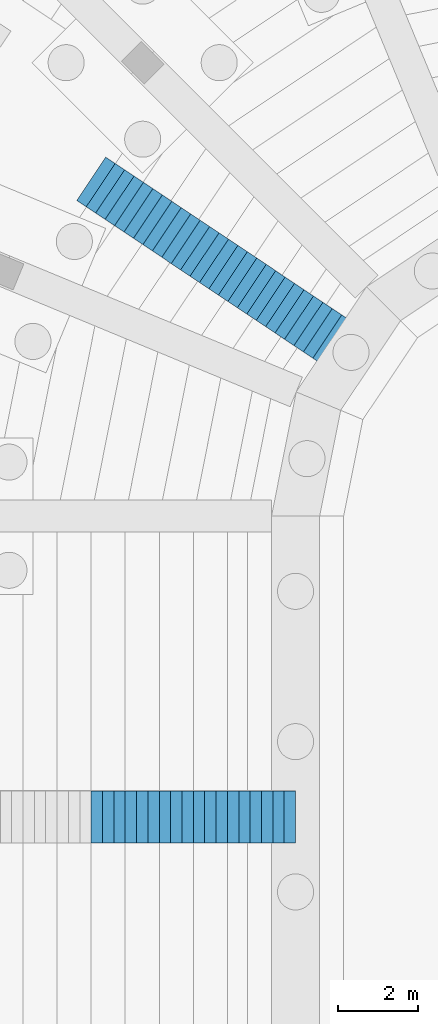
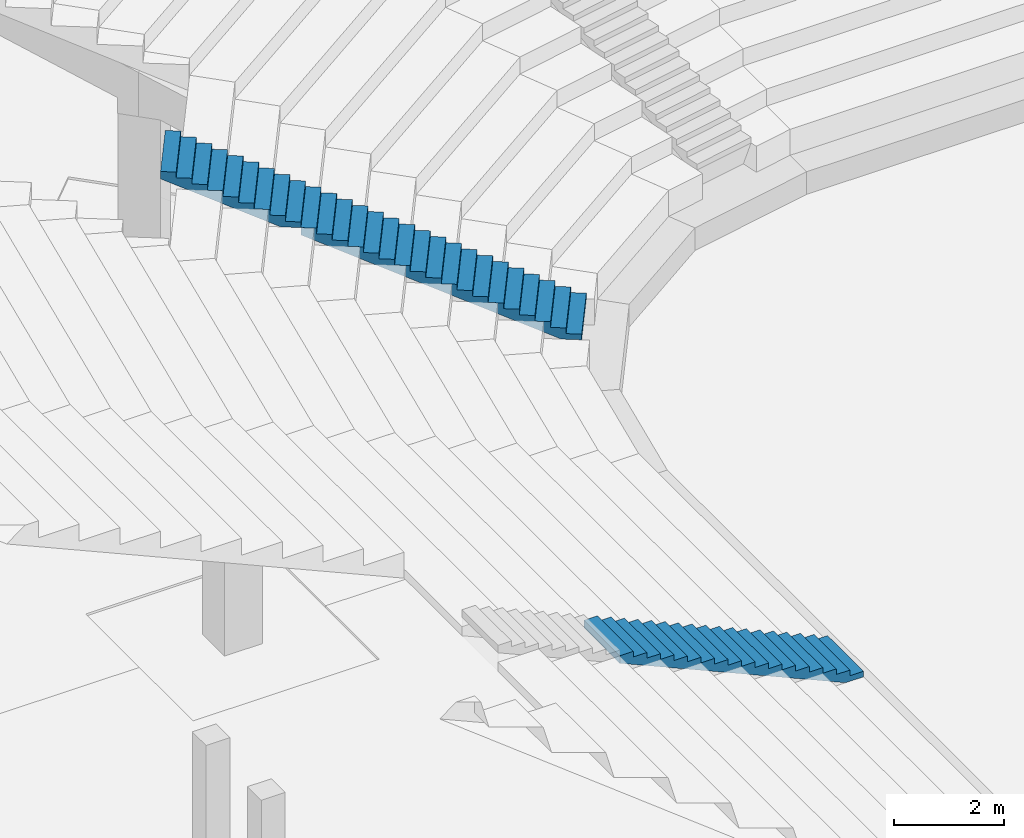
# One storey, part 94 of 115: 3 stair flights, 2 elements without a shape of their own.
"""IFC4 building model written with IfcOpenShell, lengths in metres."""

from ifc_helpers import new_model, si_unit, direction, frame, origin, place, context, subcontext, project, spatial, faceted_brep, material, type_object, element, aggregate, save


model = new_model("IFC4")

# Units and contexts
model_context = context("Model", 3, precision=1e-05, world=origin(), true_north=direction((0.0, 1.0)))
body_context = subcontext(model_context, "Body", "Model", "MODEL_VIEW")
ifc_project = project(units=[si_unit("LENGTHUNIT", "METRE"), si_unit("AREAUNIT", "SQUARE_METRE"), si_unit("VOLUMEUNIT", "CUBIC_METRE"), si_unit("PLANEANGLEUNIT", "RADIAN"), si_unit("MASSUNIT", "GRAM", prefix="KILO")], contexts=[model_context])

# Site, building, storey
site_placement = place(None, origin())
site = spatial("IfcSite", under=ifc_project, at=site_placement, CompositionType="ELEMENT")
building_placement = place(site_placement, origin())
building = spatial("IfcBuilding", under=site, at=building_placement, Name="Ogive Plaza Stadium", CompositionType="ELEMENT")
storey_placement = place(building_placement, frame((0.0, 0.0, -4.5)))
storey = spatial("IfcBuildingStorey", under=building, at=storey_placement, Name="B1", CompositionType="ELEMENT", Elevation=-4.5)

# Stair, stair flight
ifc_material_1 = material(Name="Concrete C40/50", Category="concrete")
stair_type = type_object("IfcStairType", Name="Aisle stair", PredefinedType="STRAIGHT_RUN_STAIR", material=ifc_material_1)
stair_1_placement = place(storey_placement, origin())
stair_1 = element("IfcStair", 1, at=stair_1_placement, inside=storey, type_object=stair_type, Name="Aisle stair SA27D", PredefinedType="STRAIGHT_RUN_STAIR")
ifc_material_2 = material(Name="Concrete C40/50", Category="concrete")
stair_flight_type = type_object("IfcStairFlightType", Name="Aisle stair flight", PredefinedType="STRAIGHT", material=ifc_material_2)
stair_flight_1_placement = place(storey_placement, frame((-41.5, 45.0, 1.125), z_axis=(0.0, 0.0, 1.0), x_axis=(-1.0, 0.0, 0.0)))
stair_flight_1 = element("IfcStairFlight", 2, at=stair_flight_1_placement, type_object=stair_flight_type, Name="SA27D flight 1", NumberOfRisers=18, NumberOfTreads=17, PredefinedType="STRAIGHT", RiserHeight=0.125, TreadLength=0.283333333, context=body_context, shape_type="Brep", body=[
    faceted_brep([(0.371337890625, -0.64990234375, 0.0), (5.10009765625, -0.64990234375, 2.086181640625), (5.10009765625, -0.64990234375, 2.25), (4.816650390625, -0.64990234375, 2.25), (4.816650390625, -0.64990234375, 2.125), (4.533447265625, -0.64990234375, 2.125), (4.533447265625, -0.64990234375, 2.0), (4.25, -0.64990234375, 2.0), (4.25, -0.64990234375, 1.875), (3.966552734375, -0.64990234375, 1.875), (3.966552734375, -0.64990234375, 1.75), (3.683349609375, -0.64990234375, 1.75), (3.683349609375, -0.64990234375, 1.625), (3.39990234375, -0.64990234375, 1.625), (3.39990234375, -0.64990234375, 1.5), (3.11669921875, -0.64990234375, 1.5), (3.11669921875, -0.64990234375, 1.375), (2.833251953125, -0.64990234375, 1.375), (2.833251953125, -0.64990234375, 1.25), (2.550048828125, -0.64990234375, 1.25), (2.550048828125, -0.64990234375, 1.125), (2.2666015625, -0.64990234375, 1.125), (2.2666015625, -0.64990234375, 1.0), (1.9833984375, -0.64990234375, 1.0), (1.9833984375, -0.64990234375, 0.875), (1.699951171875, -0.64990234375, 0.875), (1.699951171875, -0.64990234375, 0.75), (1.416748046875, -0.64990234375, 0.75), (1.416748046875, -0.64990234375, 0.625), (1.13330078125, -0.64990234375, 0.625), (1.13330078125, -0.64990234375, 0.5), (0.85009765625, -0.64990234375, 0.5), (0.85009765625, -0.64990234375, 0.375), (0.566650390625, -0.64990234375, 0.375), (0.566650390625, -0.64990234375, 0.25), (0.283447265625, -0.64990234375, 0.25), (0.283447265625, -0.64990234375, 0.125), (0.0, -0.64990234375, 0.125), (0.0, -0.64990234375, 0.0), (0.0, 0.64990234375, 0.0), (0.0, 0.64990234375, 0.125), (0.283447265625, 0.64990234375, 0.125), (0.283447265625, 0.64990234375, 0.25), (0.566650390625, 0.64990234375, 0.25), (0.566650390625, 0.64990234375, 0.375), (0.85009765625, 0.64990234375, 0.375), (0.85009765625, 0.64990234375, 0.5), (1.13330078125, 0.64990234375, 0.5), (1.13330078125, 0.64990234375, 0.625), (1.416748046875, 0.64990234375, 0.625), (1.416748046875, 0.64990234375, 0.75), (1.699951171875, 0.64990234375, 0.75), (1.699951171875, 0.64990234375, 0.875), (1.9833984375, 0.64990234375, 0.875), (1.9833984375, 0.64990234375, 1.0), (2.2666015625, 0.64990234375, 1.0), (2.2666015625, 0.64990234375, 1.125), (2.550048828125, 0.64990234375, 1.125), (2.550048828125, 0.64990234375, 1.25), (2.833251953125, 0.64990234375, 1.25), (2.833251953125, 0.64990234375, 1.375), (3.11669921875, 0.64990234375, 1.375), (3.11669921875, 0.64990234375, 1.5), (3.39990234375, 0.64990234375, 1.5), (3.39990234375, 0.64990234375, 1.625), (3.683349609375, 0.64990234375, 1.625), (3.683349609375, 0.64990234375, 1.75), (3.966552734375, 0.64990234375, 1.75), (3.966552734375, 0.64990234375, 1.875), (4.25, 0.64990234375, 1.875), (4.25, 0.64990234375, 2.0), (4.533447265625, 0.64990234375, 2.0), (4.533447265625, 0.64990234375, 2.125), (4.816650390625, 0.64990234375, 2.125), (4.816650390625, 0.64990234375, 2.25), (5.10009765625, 0.64990234375, 2.25), (5.10009765625, 0.64990234375, 2.086181640625), (0.371337890625, 0.64990234375, 0.0), (0.371337890625, -0.324951171875, 0.0), (5.10009765625, -0.324951171875, 2.086181640625), (0.371337890625, 0.0, 0.0), (5.10009765625, 0.0, 2.086181640625), (0.371337890625, 0.324951171875, 0.0), (5.10009765625, 0.324951171875, 2.086181640625), (5.10009765625, -0.324951171875, 2.25), (5.10009765625, 0.0, 2.25), (5.10009765625, 0.324951171875, 2.25), (4.816650390625, -0.324951171875, 2.25), (4.816650390625, 0.0, 2.25), (4.816650390625, 0.324951171875, 2.25), (4.816650390625, -0.324951171875, 2.125), (4.816650390625, 0.0, 2.125), (4.816650390625, 0.324951171875, 2.125), (4.533447265625, -0.324951171875, 2.125), (4.533447265625, 0.0, 2.125), (4.533447265625, 0.324951171875, 2.125), (4.533447265625, -0.324951171875, 2.0), (4.533447265625, 0.0, 2.0), (4.533447265625, 0.324951171875, 2.0), (4.25, -0.324951171875, 2.0), (4.25, 0.0, 2.0), (4.25, 0.324951171875, 2.0), (4.25, -0.324951171875, 1.875), (4.25, 0.0, 1.875), (4.25, 0.324951171875, 1.875), (3.966552734375, -0.324951171875, 1.875), (3.966552734375, 0.0, 1.875), (3.966552734375, 0.324951171875, 1.875), (3.966552734375, -0.324951171875, 1.75), (3.966552734375, 0.0, 1.75), (3.966552734375, 0.324951171875, 1.75), (3.683349609375, -0.324951171875, 1.75), (3.683349609375, 0.0, 1.75), (3.683349609375, 0.324951171875, 1.75), (3.683349609375, -0.324951171875, 1.625), (3.683349609375, 0.0, 1.625), (3.683349609375, 0.324951171875, 1.625), (3.39990234375, -0.324951171875, 1.625), (3.39990234375, 0.0, 1.625), (3.39990234375, 0.324951171875, 1.625), (3.39990234375, -0.324951171875, 1.5), (3.39990234375, 0.0, 1.5), (3.39990234375, 0.324951171875, 1.5), (3.11669921875, -0.324951171875, 1.5), (3.11669921875, 0.0, 1.5), (3.11669921875, 0.324951171875, 1.5), (3.11669921875, -0.324951171875, 1.375), (3.11669921875, 0.0, 1.375), (3.11669921875, 0.324951171875, 1.375), (2.833251953125, -0.324951171875, 1.375), (2.833251953125, 0.0, 1.375), (2.833251953125, 0.324951171875, 1.375), (2.833251953125, -0.324951171875, 1.25), (2.833251953125, 0.0, 1.25), (2.833251953125, 0.324951171875, 1.25), (2.550048828125, -0.324951171875, 1.25), (2.550048828125, 0.0, 1.25), (2.550048828125, 0.324951171875, 1.25), (2.550048828125, -0.324951171875, 1.125), (2.550048828125, 0.0, 1.125), (2.550048828125, 0.324951171875, 1.125), (2.2666015625, -0.324951171875, 1.125), (2.2666015625, 0.0, 1.125), (2.2666015625, 0.324951171875, 1.125), (2.2666015625, -0.324951171875, 1.0), (2.2666015625, 0.0, 1.0), (2.2666015625, 0.324951171875, 1.0), (1.9833984375, -0.324951171875, 1.0), (1.9833984375, 0.0, 1.0), (1.9833984375, 0.324951171875, 1.0), (1.9833984375, -0.324951171875, 0.875), (1.9833984375, 0.0, 0.875), (1.9833984375, 0.324951171875, 0.875), (1.699951171875, -0.324951171875, 0.875), (1.699951171875, 0.0, 0.875), (1.699951171875, 0.324951171875, 0.875), (1.699951171875, -0.324951171875, 0.75), (1.699951171875, 0.0, 0.75), (1.699951171875, 0.324951171875, 0.75), (1.416748046875, -0.324951171875, 0.75), (1.416748046875, 0.0, 0.75), (1.416748046875, 0.324951171875, 0.75), (1.416748046875, -0.324951171875, 0.625), (1.416748046875, 0.0, 0.625), (1.416748046875, 0.324951171875, 0.625), (1.13330078125, -0.324951171875, 0.625), (1.13330078125, 0.0, 0.625), (1.13330078125, 0.324951171875, 0.625), (1.13330078125, -0.324951171875, 0.5), (1.13330078125, 0.0, 0.5), (1.13330078125, 0.324951171875, 0.5), (0.85009765625, -0.324951171875, 0.5), (0.85009765625, 0.0, 0.5), (0.85009765625, 0.324951171875, 0.5), (0.85009765625, -0.324951171875, 0.375), (0.85009765625, 0.0, 0.375), (0.85009765625, 0.324951171875, 0.375), (0.566650390625, -0.324951171875, 0.375), (0.566650390625, 0.0, 0.375), (0.566650390625, 0.324951171875, 0.375), (0.566650390625, -0.324951171875, 0.25), (0.566650390625, 0.0, 0.25), (0.566650390625, 0.324951171875, 0.25), (0.283447265625, -0.324951171875, 0.25), (0.283447265625, 0.0, 0.25), (0.283447265625, 0.324951171875, 0.25), (0.283447265625, -0.324951171875, 0.125), (0.283447265625, 0.0, 0.125), (0.283447265625, 0.324951171875, 0.125), (0.0, -0.324951171875, 0.125), (0.0, 0.0, 0.125), (0.0, 0.324951171875, 0.125), (0.0, -0.324951171875, 0.0), (0.0, 0.0, 0.0), (0.0, 0.324951171875, 0.0)], [[[0, 1, 2, 3, 4, 5, 6, 7, 8, 9, 10, 11, 12, 13, 14, 15, 16, 17, 18, 19, 20, 21, 22, 23, 24, 25, 26, 27, 28, 29, 30, 31, 32, 33, 34, 35, 36, 37, 38]], [[39, 40, 41, 42, 43, 44, 45, 46, 47, 48, 49, 50, 51, 52, 53, 54, 55, 56, 57, 58, 59, 60, 61, 62, 63, 64, 65, 66, 67, 68, 69, 70, 71, 72, 73, 74, 75, 76, 77]], [[0, 78, 79, 1]], [[78, 80, 81, 79]], [[80, 82, 83, 81]], [[82, 77, 76, 83]], [[1, 79, 84, 2]], [[79, 81, 85, 84]], [[81, 83, 86, 85]], [[83, 76, 75, 86]], [[2, 84, 87, 3]], [[84, 85, 88, 87]], [[85, 86, 89, 88]], [[86, 75, 74, 89]], [[3, 87, 90, 4]], [[87, 88, 91, 90]], [[88, 89, 92, 91]], [[89, 74, 73, 92]], [[4, 90, 93, 5]], [[90, 91, 94, 93]], [[91, 92, 95, 94]], [[92, 73, 72, 95]], [[5, 93, 96, 6]], [[93, 94, 97, 96]], [[94, 95, 98, 97]], [[95, 72, 71, 98]], [[6, 96, 99, 7]], [[96, 97, 100, 99]], [[97, 98, 101, 100]], [[98, 71, 70, 101]], [[7, 99, 102, 8]], [[99, 100, 103, 102]], [[100, 101, 104, 103]], [[101, 70, 69, 104]], [[8, 102, 105, 9]], [[102, 103, 106, 105]], [[103, 104, 107, 106]], [[104, 69, 68, 107]], [[9, 105, 108, 10]], [[105, 106, 109, 108]], [[106, 107, 110, 109]], [[107, 68, 67, 110]], [[10, 108, 111, 11]], [[108, 109, 112, 111]], [[109, 110, 113, 112]], [[110, 67, 66, 113]], [[11, 111, 114, 12]], [[111, 112, 115, 114]], [[112, 113, 116, 115]], [[113, 66, 65, 116]], [[12, 114, 117, 13]], [[114, 115, 118, 117]], [[115, 116, 119, 118]], [[116, 65, 64, 119]], [[13, 117, 120, 14]], [[117, 118, 121, 120]], [[118, 119, 122, 121]], [[119, 64, 63, 122]], [[14, 120, 123, 15]], [[120, 121, 124, 123]], [[121, 122, 125, 124]], [[122, 63, 62, 125]], [[15, 123, 126, 16]], [[123, 124, 127, 126]], [[124, 125, 128, 127]], [[125, 62, 61, 128]], [[16, 126, 129, 17]], [[126, 127, 130, 129]], [[127, 128, 131, 130]], [[128, 61, 60, 131]], [[17, 129, 132, 18]], [[129, 130, 133, 132]], [[130, 131, 134, 133]], [[131, 60, 59, 134]], [[18, 132, 135, 19]], [[132, 133, 136, 135]], [[133, 134, 137, 136]], [[134, 59, 58, 137]], [[19, 135, 138, 20]], [[135, 136, 139, 138]], [[136, 137, 140, 139]], [[137, 58, 57, 140]], [[20, 138, 141, 21]], [[138, 139, 142, 141]], [[139, 140, 143, 142]], [[140, 57, 56, 143]], [[21, 141, 144, 22]], [[141, 142, 145, 144]], [[142, 143, 146, 145]], [[143, 56, 55, 146]], [[22, 144, 147, 23]], [[144, 145, 148, 147]], [[145, 146, 149, 148]], [[146, 55, 54, 149]], [[23, 147, 150, 24]], [[147, 148, 151, 150]], [[148, 149, 152, 151]], [[149, 54, 53, 152]], [[24, 150, 153, 25]], [[150, 151, 154, 153]], [[151, 152, 155, 154]], [[152, 53, 52, 155]], [[25, 153, 156, 26]], [[153, 154, 157, 156]], [[154, 155, 158, 157]], [[155, 52, 51, 158]], [[26, 156, 159, 27]], [[156, 157, 160, 159]], [[157, 158, 161, 160]], [[158, 51, 50, 161]], [[27, 159, 162, 28]], [[159, 160, 163, 162]], [[160, 161, 164, 163]], [[161, 50, 49, 164]], [[28, 162, 165, 29]], [[162, 163, 166, 165]], [[163, 164, 167, 166]], [[164, 49, 48, 167]], [[29, 165, 168, 30]], [[165, 166, 169, 168]], [[166, 167, 170, 169]], [[167, 48, 47, 170]], [[30, 168, 171, 31]], [[168, 169, 172, 171]], [[169, 170, 173, 172]], [[170, 47, 46, 173]], [[31, 171, 174, 32]], [[171, 172, 175, 174]], [[172, 173, 176, 175]], [[173, 46, 45, 176]], [[32, 174, 177, 33]], [[174, 175, 178, 177]], [[175, 176, 179, 178]], [[176, 45, 44, 179]], [[33, 177, 180, 34]], [[177, 178, 181, 180]], [[178, 179, 182, 181]], [[179, 44, 43, 182]], [[34, 180, 183, 35]], [[180, 181, 184, 183]], [[181, 182, 185, 184]], [[182, 43, 42, 185]], [[35, 183, 186, 36]], [[183, 184, 187, 186]], [[184, 185, 188, 187]], [[185, 42, 41, 188]], [[36, 186, 189, 37]], [[186, 187, 190, 189]], [[187, 188, 191, 190]], [[188, 41, 40, 191]], [[37, 189, 192, 38]], [[189, 190, 193, 192]], [[190, 191, 194, 193]], [[191, 40, 39, 194]], [[38, 192, 78, 0]], [[192, 193, 80, 78]], [[193, 194, 82, 80]], [[194, 39, 77, 82]]]),
])
aggregate(stair_1, [stair_flight_1])

# Stair, stair flights
stair_2_placement = place(storey_placement, origin())
stair_2 = element("IfcStair", 3, at=stair_2_placement, inside=storey, type_object=stair_type, Name="Aisle stair SA29D", PredefinedType="STRAIGHT_RUN_STAIR")
stair_flight_2_placement = place(storey_placement, frame((-40.236083984375, 56.666748046875, 1.125), z_axis=(0.0, 0.0, 1.0), x_axis=(-0.831469612303, 0.55557023302, 0.0)))
stair_flight_2 = element("IfcStairFlight", 4, at=stair_flight_2_placement, type_object=stair_flight_type, Name="SA29D flight 1", NumberOfRisers=18, NumberOfTreads=17, PredefinedType="STRAIGHT", RiserHeight=0.125, TreadLength=0.283333333, context=body_context, shape_type="Brep", body=[
    faceted_brep([(0.371337890625, -0.64990234375, 0.0), (5.10009765625, -0.64990234375, 2.086181640625), (5.10009765625, -0.64990234375, 2.25), (4.816650390625, -0.64990234375, 2.25), (4.816650390625, -0.64990234375, 2.125), (4.533447265625, -0.64990234375, 2.125), (4.533447265625, -0.64990234375, 2.0), (4.25, -0.64990234375, 2.0), (4.25, -0.64990234375, 1.875), (3.966552734375, -0.64990234375, 1.875), (3.966552734375, -0.64990234375, 1.75), (3.683349609375, -0.64990234375, 1.75), (3.683349609375, -0.64990234375, 1.625), (3.39990234375, -0.64990234375, 1.625), (3.39990234375, -0.64990234375, 1.5), (3.11669921875, -0.64990234375, 1.5), (3.11669921875, -0.64990234375, 1.375), (2.833251953125, -0.64990234375, 1.375), (2.833251953125, -0.64990234375, 1.25), (2.550048828125, -0.64990234375, 1.25), (2.550048828125, -0.64990234375, 1.125), (2.2666015625, -0.64990234375, 1.125), (2.2666015625, -0.64990234375, 1.0), (1.9833984375, -0.64990234375, 1.0), (1.9833984375, -0.64990234375, 0.875), (1.699951171875, -0.64990234375, 0.875), (1.699951171875, -0.64990234375, 0.75), (1.416748046875, -0.64990234375, 0.75), (1.416748046875, -0.64990234375, 0.625), (1.13330078125, -0.64990234375, 0.625), (1.13330078125, -0.64990234375, 0.5), (0.85009765625, -0.64990234375, 0.5), (0.85009765625, -0.64990234375, 0.375), (0.566650390625, -0.64990234375, 0.375), (0.566650390625, -0.64990234375, 0.25), (0.283447265625, -0.64990234375, 0.25), (0.283447265625, -0.64990234375, 0.125), (0.0, -0.64990234375, 0.125), (0.0, -0.64990234375, 0.0), (0.0, 0.64990234375, 0.0), (0.0, 0.64990234375, 0.125), (0.283447265625, 0.64990234375, 0.125), (0.283447265625, 0.64990234375, 0.25), (0.566650390625, 0.64990234375, 0.25), (0.566650390625, 0.64990234375, 0.375), (0.85009765625, 0.64990234375, 0.375), (0.85009765625, 0.64990234375, 0.5), (1.13330078125, 0.64990234375, 0.5), (1.13330078125, 0.64990234375, 0.625), (1.416748046875, 0.64990234375, 0.625), (1.416748046875, 0.64990234375, 0.75), (1.699951171875, 0.64990234375, 0.75), (1.699951171875, 0.64990234375, 0.875), (1.9833984375, 0.64990234375, 0.875), (1.9833984375, 0.64990234375, 1.0), (2.2666015625, 0.64990234375, 1.0), (2.2666015625, 0.64990234375, 1.125), (2.550048828125, 0.64990234375, 1.125), (2.550048828125, 0.64990234375, 1.25), (2.833251953125, 0.64990234375, 1.25), (2.833251953125, 0.64990234375, 1.375), (3.11669921875, 0.64990234375, 1.375), (3.11669921875, 0.64990234375, 1.5), (3.39990234375, 0.64990234375, 1.5), (3.39990234375, 0.64990234375, 1.625), (3.683349609375, 0.64990234375, 1.625), (3.683349609375, 0.64990234375, 1.75), (3.966552734375, 0.64990234375, 1.75), (3.966552734375, 0.64990234375, 1.875), (4.25, 0.64990234375, 1.875), (4.25, 0.64990234375, 2.0), (4.533447265625, 0.64990234375, 2.0), (4.533447265625, 0.64990234375, 2.125), (4.816650390625, 0.64990234375, 2.125), (4.816650390625, 0.64990234375, 2.25), (5.10009765625, 0.64990234375, 2.25), (5.10009765625, 0.64990234375, 2.086181640625), (0.371337890625, 0.64990234375, 0.0), (0.371337890625, -0.324951171875, 0.0), (5.10009765625, -0.324951171875, 2.086181640625), (0.371337890625, 0.0, 0.0), (5.10009765625, 0.0, 2.086181640625), (0.371337890625, 0.324951171875, 0.0), (5.10009765625, 0.324951171875, 2.086181640625), (5.10009765625, -0.324951171875, 2.25), (5.10009765625, 0.0, 2.25), (5.10009765625, 0.324951171875, 2.25), (4.816650390625, -0.324951171875, 2.25), (4.816650390625, 0.0, 2.25), (4.816650390625, 0.324951171875, 2.25), (4.816650390625, -0.324951171875, 2.125), (4.816650390625, 0.0, 2.125), (4.816650390625, 0.324951171875, 2.125), (4.533447265625, -0.324951171875, 2.125), (4.533447265625, 0.0, 2.125), (4.533447265625, 0.324951171875, 2.125), (4.533447265625, -0.324951171875, 2.0), (4.533447265625, 0.0, 2.0), (4.533447265625, 0.324951171875, 2.0), (4.25, -0.324951171875, 2.0), (4.25, 0.0, 2.0), (4.25, 0.324951171875, 2.0), (4.25, -0.324951171875, 1.875), (4.25, 0.0, 1.875), (4.25, 0.324951171875, 1.875), (3.966552734375, -0.324951171875, 1.875), (3.966552734375, 0.0, 1.875), (3.966552734375, 0.324951171875, 1.875), (3.966552734375, -0.324951171875, 1.75), (3.966552734375, 0.0, 1.75), (3.966552734375, 0.324951171875, 1.75), (3.683349609375, -0.324951171875, 1.75), (3.683349609375, 0.0, 1.75), (3.683349609375, 0.324951171875, 1.75), (3.683349609375, -0.324951171875, 1.625), (3.683349609375, 0.0, 1.625), (3.683349609375, 0.324951171875, 1.625), (3.39990234375, -0.324951171875, 1.625), (3.39990234375, 0.0, 1.625), (3.39990234375, 0.324951171875, 1.625), (3.39990234375, -0.324951171875, 1.5), (3.39990234375, 0.0, 1.5), (3.39990234375, 0.324951171875, 1.5), (3.11669921875, -0.324951171875, 1.5), (3.11669921875, 0.0, 1.5), (3.11669921875, 0.324951171875, 1.5), (3.11669921875, -0.324951171875, 1.375), (3.11669921875, 0.0, 1.375), (3.11669921875, 0.324951171875, 1.375), (2.833251953125, -0.324951171875, 1.375), (2.833251953125, 0.0, 1.375), (2.833251953125, 0.324951171875, 1.375), (2.833251953125, -0.324951171875, 1.25), (2.833251953125, 0.0, 1.25), (2.833251953125, 0.324951171875, 1.25), (2.550048828125, -0.324951171875, 1.25), (2.550048828125, 0.0, 1.25), (2.550048828125, 0.324951171875, 1.25), (2.550048828125, -0.324951171875, 1.125), (2.550048828125, 0.0, 1.125), (2.550048828125, 0.324951171875, 1.125), (2.2666015625, -0.324951171875, 1.125), (2.2666015625, 0.0, 1.125), (2.2666015625, 0.324951171875, 1.125), (2.2666015625, -0.324951171875, 1.0), (2.2666015625, 0.0, 1.0), (2.2666015625, 0.324951171875, 1.0), (1.9833984375, -0.324951171875, 1.0), (1.9833984375, 0.0, 1.0), (1.9833984375, 0.324951171875, 1.0), (1.9833984375, -0.324951171875, 0.875), (1.9833984375, 0.0, 0.875), (1.9833984375, 0.324951171875, 0.875), (1.699951171875, -0.324951171875, 0.875), (1.699951171875, 0.0, 0.875), (1.699951171875, 0.324951171875, 0.875), (1.699951171875, -0.324951171875, 0.75), (1.699951171875, 0.0, 0.75), (1.699951171875, 0.324951171875, 0.75), (1.416748046875, -0.324951171875, 0.75), (1.416748046875, 0.0, 0.75), (1.416748046875, 0.324951171875, 0.75), (1.416748046875, -0.324951171875, 0.625), (1.416748046875, 0.0, 0.625), (1.416748046875, 0.324951171875, 0.625), (1.13330078125, -0.324951171875, 0.625), (1.13330078125, 0.0, 0.625), (1.13330078125, 0.324951171875, 0.625), (1.13330078125, -0.324951171875, 0.5), (1.13330078125, 0.0, 0.5), (1.13330078125, 0.324951171875, 0.5), (0.85009765625, -0.324951171875, 0.5), (0.85009765625, 0.0, 0.5), (0.85009765625, 0.324951171875, 0.5), (0.85009765625, -0.324951171875, 0.375), (0.85009765625, 0.0, 0.375), (0.85009765625, 0.324951171875, 0.375), (0.566650390625, -0.324951171875, 0.375), (0.566650390625, 0.0, 0.375), (0.566650390625, 0.324951171875, 0.375), (0.566650390625, -0.324951171875, 0.25), (0.566650390625, 0.0, 0.25), (0.566650390625, 0.324951171875, 0.25), (0.283447265625, -0.324951171875, 0.25), (0.283447265625, 0.0, 0.25), (0.283447265625, 0.324951171875, 0.25), (0.283447265625, -0.324951171875, 0.125), (0.283447265625, 0.0, 0.125), (0.283447265625, 0.324951171875, 0.125), (0.0, -0.324951171875, 0.125), (0.0, 0.0, 0.125), (0.0, 0.324951171875, 0.125), (0.0, -0.324951171875, 0.0), (0.0, 0.0, 0.0), (0.0, 0.324951171875, 0.0)], [[[0, 1, 2, 3, 4, 5, 6, 7, 8, 9, 10, 11, 12, 13, 14, 15, 16, 17, 18, 19, 20, 21, 22, 23, 24, 25, 26, 27, 28, 29, 30, 31, 32, 33, 34, 35, 36, 37, 38]], [[39, 40, 41, 42, 43, 44, 45, 46, 47, 48, 49, 50, 51, 52, 53, 54, 55, 56, 57, 58, 59, 60, 61, 62, 63, 64, 65, 66, 67, 68, 69, 70, 71, 72, 73, 74, 75, 76, 77]], [[0, 78, 79, 1]], [[78, 80, 81, 79]], [[80, 82, 83, 81]], [[82, 77, 76, 83]], [[1, 79, 84, 2]], [[79, 81, 85, 84]], [[81, 83, 86, 85]], [[83, 76, 75, 86]], [[2, 84, 87, 3]], [[84, 85, 88, 87]], [[85, 86, 89, 88]], [[86, 75, 74, 89]], [[3, 87, 90, 4]], [[87, 88, 91, 90]], [[88, 89, 92, 91]], [[89, 74, 73, 92]], [[4, 90, 93, 5]], [[90, 91, 94, 93]], [[91, 92, 95, 94]], [[92, 73, 72, 95]], [[5, 93, 96, 6]], [[93, 94, 97, 96]], [[94, 95, 98, 97]], [[95, 72, 71, 98]], [[6, 96, 99, 7]], [[96, 97, 100, 99]], [[97, 98, 101, 100]], [[98, 71, 70, 101]], [[7, 99, 102, 8]], [[99, 100, 103, 102]], [[100, 101, 104, 103]], [[101, 70, 69, 104]], [[8, 102, 105, 9]], [[102, 103, 106, 105]], [[103, 104, 107, 106]], [[104, 69, 68, 107]], [[9, 105, 108, 10]], [[105, 106, 109, 108]], [[106, 107, 110, 109]], [[107, 68, 67, 110]], [[10, 108, 111, 11]], [[108, 109, 112, 111]], [[109, 110, 113, 112]], [[110, 67, 66, 113]], [[11, 111, 114, 12]], [[111, 112, 115, 114]], [[112, 113, 116, 115]], [[113, 66, 65, 116]], [[12, 114, 117, 13]], [[114, 115, 118, 117]], [[115, 116, 119, 118]], [[116, 65, 64, 119]], [[13, 117, 120, 14]], [[117, 118, 121, 120]], [[118, 119, 122, 121]], [[119, 64, 63, 122]], [[14, 120, 123, 15]], [[120, 121, 124, 123]], [[121, 122, 125, 124]], [[122, 63, 62, 125]], [[15, 123, 126, 16]], [[123, 124, 127, 126]], [[124, 125, 128, 127]], [[125, 62, 61, 128]], [[16, 126, 129, 17]], [[126, 127, 130, 129]], [[127, 128, 131, 130]], [[128, 61, 60, 131]], [[17, 129, 132, 18]], [[129, 130, 133, 132]], [[130, 131, 134, 133]], [[131, 60, 59, 134]], [[18, 132, 135, 19]], [[132, 133, 136, 135]], [[133, 134, 137, 136]], [[134, 59, 58, 137]], [[19, 135, 138, 20]], [[135, 136, 139, 138]], [[136, 137, 140, 139]], [[137, 58, 57, 140]], [[20, 138, 141, 21]], [[138, 139, 142, 141]], [[139, 140, 143, 142]], [[140, 57, 56, 143]], [[21, 141, 144, 22]], [[141, 142, 145, 144]], [[142, 143, 146, 145]], [[143, 56, 55, 146]], [[22, 144, 147, 23]], [[144, 145, 148, 147]], [[145, 146, 149, 148]], [[146, 55, 54, 149]], [[23, 147, 150, 24]], [[147, 148, 151, 150]], [[148, 149, 152, 151]], [[149, 54, 53, 152]], [[24, 150, 153, 25]], [[150, 151, 154, 153]], [[151, 152, 155, 154]], [[152, 53, 52, 155]], [[25, 153, 156, 26]], [[153, 154, 157, 156]], [[154, 155, 158, 157]], [[155, 52, 51, 158]], [[26, 156, 159, 27]], [[156, 157, 160, 159]], [[157, 158, 161, 160]], [[158, 51, 50, 161]], [[27, 159, 162, 28]], [[159, 160, 163, 162]], [[160, 161, 164, 163]], [[161, 50, 49, 164]], [[28, 162, 165, 29]], [[162, 163, 166, 165]], [[163, 164, 167, 166]], [[164, 49, 48, 167]], [[29, 165, 168, 30]], [[165, 166, 169, 168]], [[166, 167, 170, 169]], [[167, 48, 47, 170]], [[30, 168, 171, 31]], [[168, 169, 172, 171]], [[169, 170, 173, 172]], [[170, 47, 46, 173]], [[31, 171, 174, 32]], [[171, 172, 175, 174]], [[172, 173, 176, 175]], [[173, 46, 45, 176]], [[32, 174, 177, 33]], [[174, 175, 178, 177]], [[175, 176, 179, 178]], [[176, 45, 44, 179]], [[33, 177, 180, 34]], [[177, 178, 181, 180]], [[178, 179, 182, 181]], [[179, 44, 43, 182]], [[34, 180, 183, 35]], [[180, 181, 184, 183]], [[181, 182, 185, 184]], [[182, 43, 42, 185]], [[35, 183, 186, 36]], [[183, 184, 187, 186]], [[184, 185, 188, 187]], [[185, 42, 41, 188]], [[36, 186, 189, 37]], [[186, 187, 190, 189]], [[187, 188, 191, 190]], [[188, 41, 40, 191]], [[37, 189, 192, 38]], [[189, 190, 193, 192]], [[190, 191, 194, 193]], [[191, 40, 39, 194]], [[38, 192, 78, 0]], [[192, 193, 80, 78]], [[193, 194, 82, 80]], [[194, 39, 77, 82]]]),
])
stair_flight_3_placement = place(storey_placement, frame((-44.4765625, 59.500244140625, 3.375), z_axis=(0.0, 0.0, 1.0), x_axis=(-0.831469612303, 0.55557023302, 0.0)))
stair_flight_3 = element("IfcStairFlight", 5, at=stair_flight_3_placement, type_object=stair_flight_type, Name="SA29D flight 2", NumberOfRisers=9, NumberOfTreads=8, PredefinedType="STRAIGHT", RiserHeight=0.125, TreadLength=0.283333333, context=body_context, shape_type="Brep", body=[
    faceted_brep([(0.371337890625, -0.64990234375, 0.0), (2.550048828125, -0.64990234375, 0.961181640625), (2.550048828125, -0.64990234375, 1.125), (2.2666015625, -0.64990234375, 1.125), (2.2666015625, -0.64990234375, 1.0), (1.9833984375, -0.64990234375, 1.0), (1.9833984375, -0.64990234375, 0.875), (1.699951171875, -0.64990234375, 0.875), (1.699951171875, -0.64990234375, 0.75), (1.416748046875, -0.64990234375, 0.75), (1.416748046875, -0.64990234375, 0.625), (1.13330078125, -0.64990234375, 0.625), (1.13330078125, -0.64990234375, 0.5), (0.85009765625, -0.64990234375, 0.5), (0.85009765625, -0.64990234375, 0.375), (0.566650390625, -0.64990234375, 0.375), (0.566650390625, -0.64990234375, 0.25), (0.283447265625, -0.64990234375, 0.25), (0.283447265625, -0.64990234375, 0.125), (0.0, -0.64990234375, 0.125), (0.0, -0.64990234375, 0.0), (0.0, 0.64990234375, 0.0), (0.0, 0.64990234375, 0.125), (0.283447265625, 0.64990234375, 0.125), (0.283447265625, 0.64990234375, 0.25), (0.566650390625, 0.64990234375, 0.25), (0.566650390625, 0.64990234375, 0.375), (0.85009765625, 0.64990234375, 0.375), (0.85009765625, 0.64990234375, 0.5), (1.13330078125, 0.64990234375, 0.5), (1.13330078125, 0.64990234375, 0.625), (1.416748046875, 0.64990234375, 0.625), (1.416748046875, 0.64990234375, 0.75), (1.699951171875, 0.64990234375, 0.75), (1.699951171875, 0.64990234375, 0.875), (1.9833984375, 0.64990234375, 0.875), (1.9833984375, 0.64990234375, 1.0), (2.2666015625, 0.64990234375, 1.0), (2.2666015625, 0.64990234375, 1.125), (2.550048828125, 0.64990234375, 1.125), (2.550048828125, 0.64990234375, 0.961181640625), (0.371337890625, 0.64990234375, 0.0), (0.371337890625, -0.324951171875, 0.0), (2.550048828125, -0.324951171875, 0.961181640625), (0.371337890625, 0.0, 0.0), (2.550048828125, 0.0, 0.961181640625), (0.371337890625, 0.324951171875, 0.0), (2.550048828125, 0.324951171875, 0.961181640625), (2.550048828125, -0.324951171875, 1.125), (2.550048828125, 0.0, 1.125), (2.550048828125, 0.324951171875, 1.125), (2.2666015625, -0.324951171875, 1.125), (2.2666015625, 0.0, 1.125), (2.2666015625, 0.324951171875, 1.125), (2.2666015625, -0.324951171875, 1.0), (2.2666015625, 0.0, 1.0), (2.2666015625, 0.324951171875, 1.0), (1.9833984375, -0.324951171875, 1.0), (1.9833984375, 0.0, 1.0), (1.9833984375, 0.324951171875, 1.0), (1.9833984375, -0.324951171875, 0.875), (1.9833984375, 0.0, 0.875), (1.9833984375, 0.324951171875, 0.875), (1.699951171875, -0.324951171875, 0.875), (1.699951171875, 0.0, 0.875), (1.699951171875, 0.324951171875, 0.875), (1.699951171875, -0.324951171875, 0.75), (1.699951171875, 0.0, 0.75), (1.699951171875, 0.324951171875, 0.75), (1.416748046875, -0.324951171875, 0.75), (1.416748046875, 0.0, 0.75), (1.416748046875, 0.324951171875, 0.75), (1.416748046875, -0.324951171875, 0.625), (1.416748046875, 0.0, 0.625), (1.416748046875, 0.324951171875, 0.625), (1.13330078125, -0.324951171875, 0.625), (1.13330078125, 0.0, 0.625), (1.13330078125, 0.324951171875, 0.625), (1.13330078125, -0.324951171875, 0.5), (1.13330078125, 0.0, 0.5), (1.13330078125, 0.324951171875, 0.5), (0.85009765625, -0.324951171875, 0.5), (0.85009765625, 0.0, 0.5), (0.85009765625, 0.324951171875, 0.5), (0.85009765625, -0.324951171875, 0.375), (0.85009765625, 0.0, 0.375), (0.85009765625, 0.324951171875, 0.375), (0.566650390625, -0.324951171875, 0.375), (0.566650390625, 0.0, 0.375), (0.566650390625, 0.324951171875, 0.375), (0.566650390625, -0.324951171875, 0.25), (0.566650390625, 0.0, 0.25), (0.566650390625, 0.324951171875, 0.25), (0.283447265625, -0.324951171875, 0.25), (0.283447265625, 0.0, 0.25), (0.283447265625, 0.324951171875, 0.25), (0.283447265625, -0.324951171875, 0.125), (0.283447265625, 0.0, 0.125), (0.283447265625, 0.324951171875, 0.125), (0.0, -0.324951171875, 0.125), (0.0, 0.0, 0.125), (0.0, 0.324951171875, 0.125), (0.0, -0.324951171875, 0.0), (0.0, 0.0, 0.0), (0.0, 0.324951171875, 0.0)], [[[0, 1, 2, 3, 4, 5, 6, 7, 8, 9, 10, 11, 12, 13, 14, 15, 16, 17, 18, 19, 20]], [[21, 22, 23, 24, 25, 26, 27, 28, 29, 30, 31, 32, 33, 34, 35, 36, 37, 38, 39, 40, 41]], [[0, 42, 43, 1]], [[42, 44, 45, 43]], [[44, 46, 47, 45]], [[46, 41, 40, 47]], [[1, 43, 48, 2]], [[43, 45, 49, 48]], [[45, 47, 50, 49]], [[47, 40, 39, 50]], [[2, 48, 51, 3]], [[48, 49, 52, 51]], [[49, 50, 53, 52]], [[50, 39, 38, 53]], [[3, 51, 54, 4]], [[51, 52, 55, 54]], [[52, 53, 56, 55]], [[53, 38, 37, 56]], [[4, 54, 57, 5]], [[54, 55, 58, 57]], [[55, 56, 59, 58]], [[56, 37, 36, 59]], [[5, 57, 60, 6]], [[57, 58, 61, 60]], [[58, 59, 62, 61]], [[59, 36, 35, 62]], [[6, 60, 63, 7]], [[60, 61, 64, 63]], [[61, 62, 65, 64]], [[62, 35, 34, 65]], [[7, 63, 66, 8]], [[63, 64, 67, 66]], [[64, 65, 68, 67]], [[65, 34, 33, 68]], [[8, 66, 69, 9]], [[66, 67, 70, 69]], [[67, 68, 71, 70]], [[68, 33, 32, 71]], [[9, 69, 72, 10]], [[69, 70, 73, 72]], [[70, 71, 74, 73]], [[71, 32, 31, 74]], [[10, 72, 75, 11]], [[72, 73, 76, 75]], [[73, 74, 77, 76]], [[74, 31, 30, 77]], [[11, 75, 78, 12]], [[75, 76, 79, 78]], [[76, 77, 80, 79]], [[77, 30, 29, 80]], [[12, 78, 81, 13]], [[78, 79, 82, 81]], [[79, 80, 83, 82]], [[80, 29, 28, 83]], [[13, 81, 84, 14]], [[81, 82, 85, 84]], [[82, 83, 86, 85]], [[83, 28, 27, 86]], [[14, 84, 87, 15]], [[84, 85, 88, 87]], [[85, 86, 89, 88]], [[86, 27, 26, 89]], [[15, 87, 90, 16]], [[87, 88, 91, 90]], [[88, 89, 92, 91]], [[89, 26, 25, 92]], [[16, 90, 93, 17]], [[90, 91, 94, 93]], [[91, 92, 95, 94]], [[92, 25, 24, 95]], [[17, 93, 96, 18]], [[93, 94, 97, 96]], [[94, 95, 98, 97]], [[95, 24, 23, 98]], [[18, 96, 99, 19]], [[96, 97, 100, 99]], [[97, 98, 101, 100]], [[98, 23, 22, 101]], [[19, 99, 102, 20]], [[99, 100, 103, 102]], [[100, 101, 104, 103]], [[101, 22, 21, 104]], [[20, 102, 42, 0]], [[102, 103, 44, 42]], [[103, 104, 46, 44]], [[104, 21, 41, 46]]]),
])
aggregate(stair_2, [stair_flight_2, stair_flight_3])

save(model, "model.ifc")
